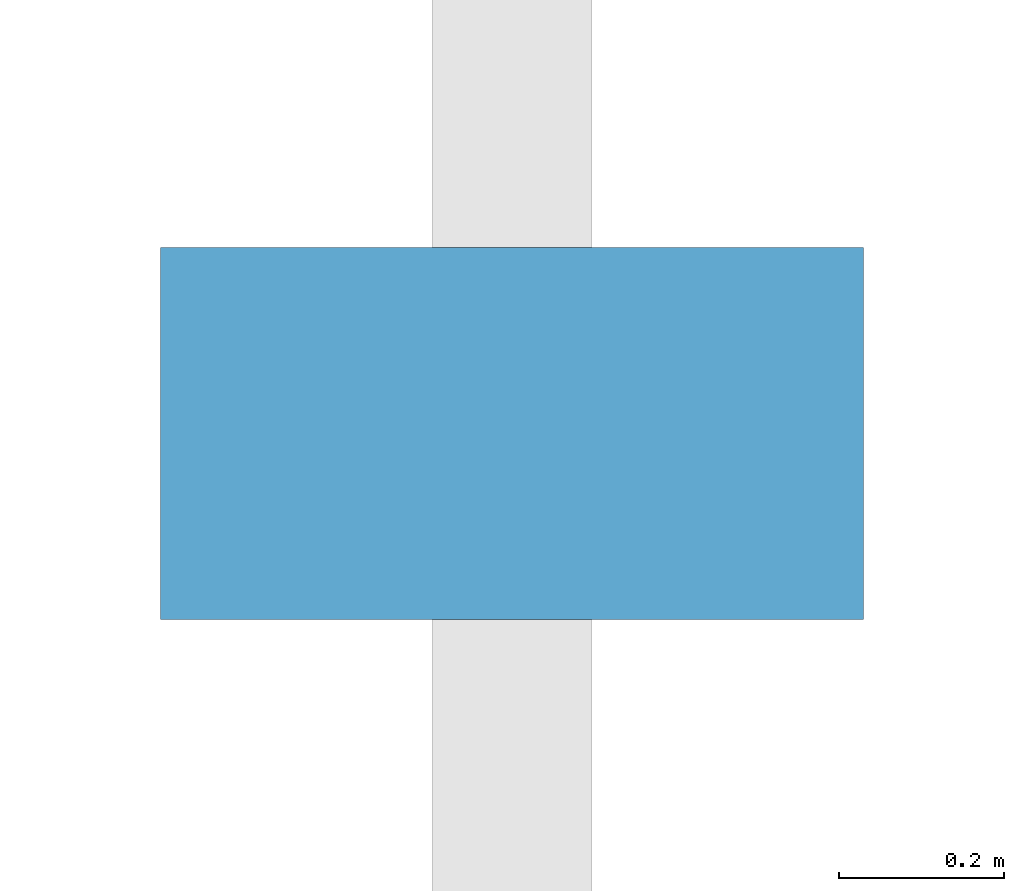
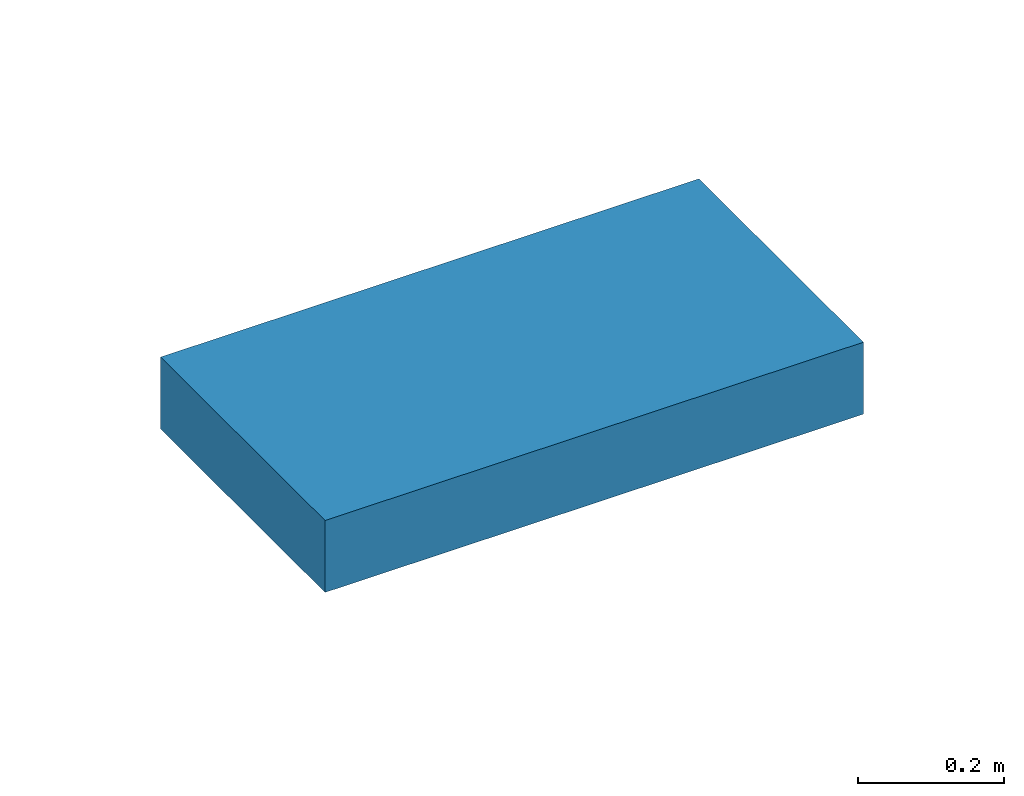
# One storey, part 131 of 157: 1 discrete accessory.
"""IFC4 building model written with IfcOpenShell, lengths in metres."""

import ifcopenshell
import ifcopenshell.guid

model = None  # the IFC model being written
_history = None  # IfcOwnerHistory: only IFC2X3 demands one
_inside = {}  # id of a spatial element -> (the spatial element, [elements in it])
_under = {}  # id of a project, library or spatial element -> (it, [spatial elements below it])
_declared = {}  # id of a project -> (the project, [libraries it declares])
_typed = {}  # id of a type object -> (the type object, [elements of that type])
_made_of = {}  # id of a material, layer set ... -> (it, [elements and type objects made of it])


def new_model(schema):
    """Start an empty IFC model of exactly this schema.

    Asked for "IFC4X3", IfcOpenShell would pick the latest addendum, in which some entities
    have other attributes; the version numbers below select the first issue.
    IFC2X3 requires an IfcOwnerHistory on every rooted entity: one is made here for all.
    """
    global model, _history
    if schema == "IFC4X3":
        model = ifcopenshell.file(schema_version=(4, 3, 0, 0))
    else:
        model = ifcopenshell.file(schema=schema)
    _inside.clear()
    _under.clear()
    _declared.clear()
    _typed.clear()
    _made_of.clear()
    _history = None
    if model.schema == "IFC2X3":
        org = make("IfcOrganization", Name="unknown")
        user = make(
            "IfcPersonAndOrganization",
            ThePerson=make("IfcPerson", FamilyName="unknown"),
            TheOrganization=org,
        )
        app = make(
            "IfcApplication",
            ApplicationDeveloper=org,
            Version="unknown",
            ApplicationFullName="unknown",
            ApplicationIdentifier="unknown",
        )
        _history = make(
            "IfcOwnerHistory",
            OwningUser=user,
            OwningApplication=app,
            ChangeAction="ADDED",
            CreationDate=0,
        )
    return model


def make(cls, **values):
    """One entity of the class cls with the attributes given. An attribute that is None is left unset."""
    return model.create_entity(
        cls, **{name: value for name, value in values.items() if value is not None}
    )


def rooted(cls, **values):
    """An entity with a GlobalId (a new one), such as an element, a storey or a relation."""
    return make(cls, GlobalId=ifcopenshell.guid.new(), OwnerHistory=_history, **values)


def si_unit(unit_type, name, prefix=None):
    """IfcSIUnit, for example si_unit("LENGTHUNIT", "METRE", prefix="MILLI")."""
    return make("IfcSIUnit", UnitType=unit_type, Prefix=prefix, Name=name)


def assignment(units):
    """IfcUnitAssignment: the units of a project."""
    return None if units is None else make("IfcUnitAssignment", Units=units)


def point(xyz):
    """IfcCartesianPoint."""
    return None if xyz is None else make("IfcCartesianPoint", Coordinates=xyz)


def direction(xyz):
    """IfcDirection."""
    return None if xyz is None else make("IfcDirection", DirectionRatios=xyz)


def frame(location, z_axis=None, x_axis=None):
    """IfcAxis2Placement3D, a coordinate frame: its origin and axes. An axis left out is left unset."""
    return make(
        "IfcAxis2Placement3D",
        Location=point(location),
        Axis=direction(z_axis),
        RefDirection=direction(x_axis),
    )


def frame_2d(location, x_axis=None):
    """IfcAxis2Placement2D, a coordinate frame in the plane: its origin and x axis."""
    return make(
        "IfcAxis2Placement2D", Location=point(location), RefDirection=direction(x_axis)
    )


def origin():
    """The frame at (0, 0, 0) with its axes left unset."""
    return frame((0.0, 0.0, 0.0))


def origin_2d():
    """The frame at (0, 0) in the plane with its x axis left unset."""
    return frame_2d((0.0, 0.0))


def place(relative_to, where):
    """IfcLocalPlacement: puts the frame where relative to a parent placement (None: the world)."""
    return make(
        "IfcLocalPlacement", PlacementRelTo=relative_to, RelativePlacement=where
    )


def context(
    kind, dimensions, precision=None, world=None, true_north=None, identifier=None
):
    """IfcGeometricRepresentationContext, for example the 3D "Model" context."""
    return make(
        "IfcGeometricRepresentationContext",
        ContextIdentifier=identifier,
        ContextType=kind,
        CoordinateSpaceDimension=dimensions,
        Precision=precision,
        WorldCoordinateSystem=world,
        TrueNorth=true_north,
    )


def subcontext(parent, identifier, kind, view, scale=None):
    """IfcGeometricRepresentationSubContext, for example "Body" below "Model"."""
    return make(
        "IfcGeometricRepresentationSubContext",
        ContextIdentifier=identifier,
        ContextType=kind,
        ParentContext=parent,
        TargetScale=scale,
        TargetView=view,
    )


def project(units=None, contexts=None):
    """IfcProject with its units and contexts."""
    return rooted(
        "IfcProject",
        Name="project",
        RepresentationContexts=contexts,
        UnitsInContext=assignment(units),
    )


def spatial(cls, under=None, at=None, **own):
    """A site, building, storey or space (cls), placed at a placement, below another one or the project."""
    s = rooted(cls, ObjectPlacement=at, **own)
    if under is not None:
        _under.setdefault(under.id(), (under, []))[1].append(s)
    return s


def profile(cls, at=None, kind="AREA", **sizes):
    """A parametric profile (cls). Its sizes go by their IFC names, for example OverallWidth=200.0."""
    return make(cls, ProfileType=kind, Position=at, **sizes)


def rectangle(**sizes):
    """IfcRectangleProfileDef."""
    return profile("IfcRectangleProfileDef", **sizes)


def extrude(swept, where, along, depth):
    """IfcExtrudedAreaSolid: the profile swept, set in the frame where, extruded along a direction by depth."""
    return make(
        "IfcExtrudedAreaSolid",
        SweptArea=swept,
        Position=where,
        ExtrudedDirection=direction(along),
        Depth=depth,
    )


def shape(context_of_items, identifier, shape_type, items):
    """IfcShapeRepresentation: the items that make up one representation, for example the "Body"."""
    return make(
        "IfcShapeRepresentation",
        ContextOfItems=context_of_items,
        RepresentationIdentifier=identifier,
        RepresentationType=shape_type,
        Items=items,
    )


def material(Name=None, Category=None):
    """IfcMaterial."""
    return make("IfcMaterial", Name=Name, Category=Category)


def layer(
    of_material, thickness, ventilated=None, Name=None, Category=None, Priority=None
):
    """IfcMaterialLayer: one layer of a wall or slab, of a material (None: an air gap)."""
    return make(
        "IfcMaterialLayer",
        Material=of_material,
        LayerThickness=thickness,
        IsVentilated=ventilated,
        Name=Name,
        Category=Category,
        Priority=Priority,
    )


def layer_set(layers, Name=None):
    """IfcMaterialLayerSet."""
    return make("IfcMaterialLayerSet", MaterialLayers=layers, LayerSetName=Name)


def made_of(thing, what):
    """Note that an element or type object is made of a material, layer set ...; save() writes the relation."""
    if what is not None:
        _made_of.setdefault(what.id(), (what, []))[1].append(thing)
    return thing


def type_object(cls, material=None, **own):
    """A type object (cls), such as IfcWallType, which elements share."""
    return made_of(rooted(cls, **own), material)


def element(
    cls,
    number,
    at=None,
    inside=None,
    cuts=None,
    type_object=None,
    material=None,
    context=None,
    identifier="Body",
    shape_type=None,
    held_by="IfcProductDefinitionShape",
    body=None,
    shapes=None,
    **own,
):
    """One element of the class cls, such as IfcWall. Its Tag is "e" and its number.

    at: its placement. inside: the storey or other place that contains it. cuts: it is an
    opening in that element (IfcRelVoidsElement). A single representation is given by context,
    identifier, shape_type and body (its items); several are given by shapes. held_by: the class
    of the entity that holds the representations. save() writes the other relations.
    """
    e = rooted(cls, Tag="e%d" % number, ObjectPlacement=at, **own)
    if body is not None:
        shapes = [shape(context, identifier, shape_type, body)]
    if shapes is not None:
        e.Representation = make(held_by, Representations=shapes)
    if inside is not None:
        _inside.setdefault(inside.id(), (inside, []))[1].append(e)
    if cuts is not None:
        rooted(
            "IfcRelVoidsElement", RelatingBuildingElement=cuts, RelatedOpeningElement=e
        )
    if type_object is not None:
        _typed.setdefault(type_object.id(), (type_object, []))[1].append(e)
    return made_of(e, material)


def aggregate(whole, parts):
    """IfcRelAggregates: a whole, such as a stair, and the parts it consists of."""
    return rooted("IfcRelAggregates", RelatingObject=whole, RelatedObjects=parts)


def save(model, path):
    """Write the relations noted so far, then the file.

    IfcRelAggregates (storeys below a building ...), IfcRelContainedInSpatialStructure (elements
    in a storey), IfcRelDefinesByType, IfcRelAssociatesMaterial and IfcRelDeclares: one each for
    every whole, place, type object, material and project.
    """
    for whole, parts in _under.values():
        aggregate(whole, parts)
    for where, things in _inside.values():
        rooted(
            "IfcRelContainedInSpatialStructure",
            RelatedElements=things,
            RelatingStructure=where,
        )
    for kind, things in _typed.values():
        rooted("IfcRelDefinesByType", RelatedObjects=things, RelatingType=kind)
    for what, things in _made_of.values():
        rooted("IfcRelAssociatesMaterial", RelatedObjects=things, RelatingMaterial=what)
    for by, libraries in _declared.values():
        rooted("IfcRelDeclares", RelatingContext=by, RelatedDefinitions=libraries)
    model.write(path)


model = new_model("IFC4")

# Units and contexts
model_context = context("Model", 3, precision=1e-05, world=origin(), true_north=direction((0.0, 1.0)))
body_context = subcontext(model_context, "Body", "Model", "MODEL_VIEW")
ifc_project = project(units=[si_unit("LENGTHUNIT", "METRE"), si_unit("AREAUNIT", "SQUARE_METRE"), si_unit("VOLUMEUNIT", "CUBIC_METRE"), si_unit("PLANEANGLEUNIT", "RADIAN"), si_unit("MASSUNIT", "GRAM", prefix="KILO")], contexts=[model_context])

# Site, building, storey
site_placement = place(None, origin())
site = spatial("IfcSite", under=ifc_project, at=site_placement, CompositionType="ELEMENT")
building_placement = place(site_placement, origin())
building = spatial("IfcBuilding", under=site, at=building_placement, Name="Almandine Court Research Institute", CompositionType="ELEMENT")
storey_placement = place(building_placement, frame((0.0, 0.0, 5.25)))
storey = spatial("IfcBuildingStorey", under=building, at=storey_placement, Name="L01", CompositionType="ELEMENT", Elevation=5.25)

# Discrete accessory
ifc_material = material(Name="Elastomeric PTFE Sliding Bearing Assembly")
ifc_layer = layer(ifc_material, 0.1201171875)
ifc_layer_set = layer_set([ifc_layer], Name="Elastomeric PTFE Sliding Bearing Assembly")
discrete_accessory_type = type_object("IfcDiscreteAccessoryType", Name="Acc-PTFE-Bearing", PredefinedType="BRACKET", material=ifc_layer_set)
discrete_accessory_placement = place(storey_placement, frame((93.60009765625, 10.60009765625, -0.35009765625), z_axis=(0.0, 0.0, 1.0), x_axis=(1.0, 0.0, 0.0)))
element("IfcDiscreteAccessory", 1, at=discrete_accessory_placement, inside=storey, type_object=discrete_accessory_type, Name="Unguided PTFE Multi-Directional Sliding Bearing PSH-S-2-1", PredefinedType="BRACKET", context=body_context, shape_type="SweptSolid", body=[
    extrude(rectangle(XDim=0.85009765625, YDim=0.449951171875, at=origin_2d()), origin(), (0.0, 0.0, 1.0), 0.1201171875),
])

save(model, "model.ifc")
